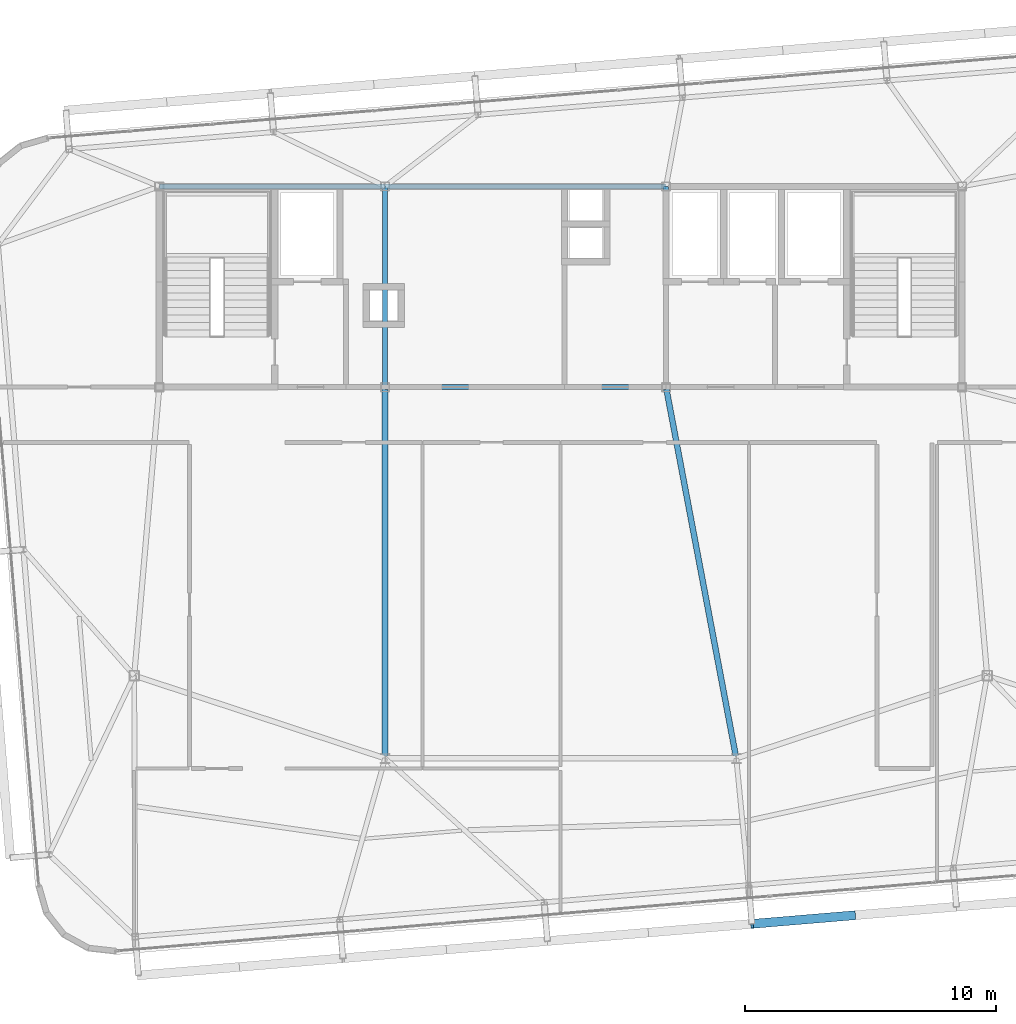
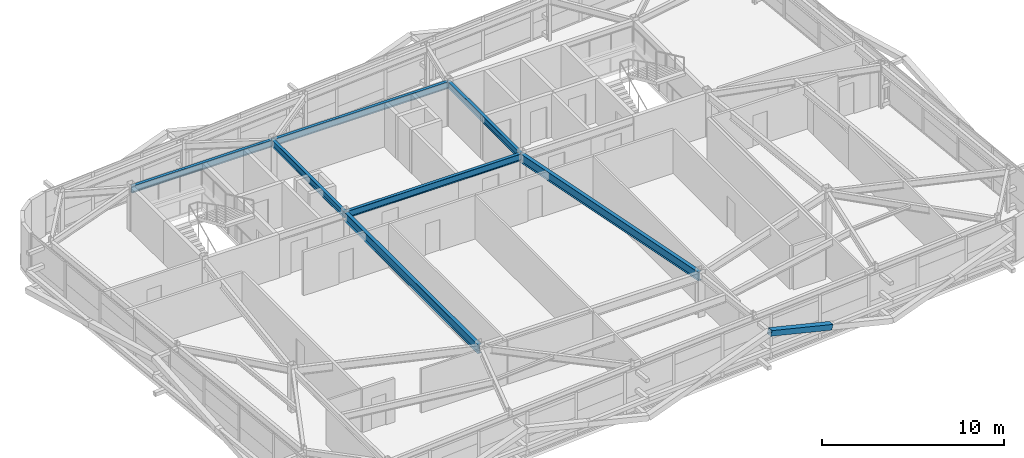
# One storey, part 18 of 46: 7 beams, 1 member.
"""IFC4 building model written with IfcOpenShell, lengths in metres."""

from ifc_helpers import new_model, si_unit, direction, frame, origin, origin_2d, place, context, subcontext, project, spatial, hollow_rectangle, i_section, extrude, source, transform, mapped, material, material_profile, profile_set, type_object, element, save


model = new_model("IFC4")

# Units and contexts
model_context = context("Model", 3, precision=1e-05, world=origin(), true_north=direction((0.0, 1.0)))
body_context = subcontext(model_context, "Body", "Model", "MODEL_VIEW")
ifc_project = project(units=[si_unit("LENGTHUNIT", "METRE"), si_unit("AREAUNIT", "SQUARE_METRE"), si_unit("VOLUMEUNIT", "CUBIC_METRE"), si_unit("PLANEANGLEUNIT", "RADIAN"), si_unit("MASSUNIT", "GRAM", prefix="KILO")], contexts=[model_context])

# Site, building, storey
site_placement = place(None, origin())
site = spatial("IfcSite", under=ifc_project, at=site_placement, CompositionType="ELEMENT")
building_placement = place(site_placement, origin())
building = spatial("IfcBuilding", under=site, at=building_placement, Name="Taldren Reach Tower", CompositionType="ELEMENT")
storey_placement = place(building_placement, frame((0.0, 0.0, 185.14990234375)))
storey = spatial("IfcBuildingStorey", under=building, at=storey_placement, Name="L56", CompositionType="ELEMENT", Elevation=185.14990234375)

# Beams
ifc_material_1 = material(Name="Steel Gr 350 (350PLUS)", Category="steel")
ifc_material_profile_1 = material_profile(ifc_material_1, i_section(OverallWidth=0.19091796875, OverallDepth=0.4599609375, WebThickness=0.010009765625, FlangeThickness=0.01611328125, at=origin_2d()), Name="460UB82.1")
ifc_profile_set_1 = profile_set([ifc_material_profile_1], Name="Steel Gr 350 (350PLUS)")
beam_type_1 = type_object("IfcBeamType", Name="BM-UB460A", PredefinedType="BEAM", material=ifc_profile_set_1)
shared_shape_1 = source(origin(), body_context, "Body", "SweptSolid", [
    extrude(i_section(OverallWidth=0.19091796875, OverallDepth=0.4599609375, WebThickness=0.010009765625, FlangeThickness=0.01611328125, at=origin_2d()), origin(), (0.0, 0.0, 1.0), 9.0),
])
beam_1_placement = place(storey_placement, frame((19.0, 32.0, 2.7001953125), z_axis=(1.0, 0.0, 0.0), x_axis=(0.0, 1.0, 0.0)))
element("IfcBeam", 1, at=beam_1_placement, inside=storey, type_object=beam_type_1, Name="Core-spine girder L56-SP04", PredefinedType="BEAM", context=body_context, shape_type="MappedRepresentation", body=[
    mapped(shared_shape_1, transform((0.0, 0.0, 0.0), scale=1.0)),
])
shared_shape_2 = source(origin(), body_context, "Body", "SweptSolid", [
    extrude(i_section(OverallWidth=0.19091796875, OverallDepth=0.4599609375, WebThickness=0.010009765625, FlangeThickness=0.01611328125, at=origin_2d()), origin(), (0.0, 0.0, 1.0), 11.199951171875),
])
for number, where, z_axis, x_axis, name in (
    (2, (28.0, 24.0, 2.7001953125), (1.0, 0.0, 0.0), (0.0, 1.0, 0.0), "Core-spine girder L56-SP02"),
    (3, (28.0, 32.0, 2.7001953125), (1.0, 0.0, 0.0), (0.0, 1.0, 0.0), "Core-spine girder L56-SP05"),
):
    element("IfcBeam", number, at=place(storey_placement, frame(where, z_axis=z_axis, x_axis=x_axis)), inside=storey, type_object=beam_type_1, Name=name, PredefinedType="BEAM", context=body_context, shape_type="MappedRepresentation", body=[
        mapped(shared_shape_2, transform((0.0, 0.0, 0.0), scale=1.0)),
    ])
shared_shape_3 = source(origin(), body_context, "Body", "SweptSolid", [
    extrude(i_section(OverallWidth=0.19091796875, OverallDepth=0.4599609375, WebThickness=0.010009765625, FlangeThickness=0.01611328125, at=origin_2d()), origin(), (0.0, 0.0, 1.0), 8.0),
])
for number, where, z_axis, x_axis, name in (
    (4, (28.0, 24.0, 2.7001953125), (0.0, 1.0, 0.0), (-1.0, 0.0, 0.0), "Core-spine girder L56-SP07"),
    (5, (39.199951171875, 24.0, 2.7001953125), (0.0, 1.0, 0.0), (-1.0, 0.0, 0.0), "Core-spine girder L56-SP08"),
):
    element("IfcBeam", number, at=place(storey_placement, frame(where, z_axis=z_axis, x_axis=x_axis)), inside=storey, type_object=beam_type_1, Name=name, PredefinedType="BEAM", context=body_context, shape_type="MappedRepresentation", body=[
        mapped(shared_shape_3, transform((0.0, 0.0, 0.0), scale=1.0)),
    ])
ifc_material_profile_2 = material_profile(ifc_material_1, i_section(OverallWidth=0.22802734375, OverallDepth=0.60205078125, WebThickness=0.010498046875, FlangeThickness=0.014892578125, at=origin_2d()), Name="610UB101")
ifc_profile_set_2 = profile_set([ifc_material_profile_2], Name="Steel Gr 350 (350PLUS)")
beam_type_2 = type_object("IfcBeamType", Name="BM-UB610B", PredefinedType="BEAM", material=ifc_profile_set_2)
shared_shape_4 = source(origin(), body_context, "Body", "SweptSolid", [
    extrude(i_section(OverallWidth=0.22802734375, OverallDepth=0.60205078125, WebThickness=0.010498046875, FlangeThickness=0.014892578125, at=origin_2d()), origin(), (0.0, 0.0, 1.0), 14.800048828125),
])
beam_2_placement = place(storey_placement, frame((28.0, 24.0, 2.629150390625), z_axis=(0.0, -1.0, 0.0), x_axis=(1.0, 0.0, 0.0)))
element("IfcBeam", 6, at=beam_2_placement, inside=storey, type_object=beam_type_2, Name="Core-spine girder L56-SP14", PredefinedType="BEAM", context=body_context, shape_type="MappedRepresentation", body=[
    mapped(shared_shape_4, transform((0.0, 0.0, 0.0), scale=1.0)),
])
shared_shape_5 = source(origin(), body_context, "Body", "SweptSolid", [
    extrude(i_section(OverallWidth=0.22802734375, OverallDepth=0.60205078125, WebThickness=0.010498046875, FlangeThickness=0.014892578125, at=origin_2d()), origin(), (0.0, 0.0, 1.0), 15.0625),
])
beam_3_placement = place(storey_placement, frame((39.199951171875, 24.0, 2.629150390625), z_axis=(0.185894205668, -0.982569765614, 0.0), x_axis=(0.982569765614, 0.185894205668, 0.0)))
element("IfcBeam", 7, at=beam_3_placement, inside=storey, type_object=beam_type_2, Name="Core-spine girder L56-SP15", PredefinedType="BEAM", context=body_context, shape_type="MappedRepresentation", body=[
    mapped(shared_shape_5, transform((0.0, 0.0, 0.0), scale=1.0)),
])

# Member
ifc_material_2 = material(Name="Steel Gr 450 (C450L0)", Category="steel")
ifc_material_profile_3 = material_profile(ifc_material_2, hollow_rectangle(XDim=0.360107421875, YDim=0.360107421875, WallThickness=0.0126953125, at=origin_2d()), Name="360x360x12.7SHS")
ifc_profile_set_3 = profile_set([ifc_material_profile_3], Name="Steel Gr 450 (C450L0)")
member_type = type_object("IfcMemberType", Name="MB-EXO356", PredefinedType="BRACE", material=ifc_profile_set_3)
shared_shape_6 = source(origin(), body_context, "Body", "SweptSolid", [
    extrude(hollow_rectangle(XDim=0.360107421875, YDim=0.360107421875, WallThickness=0.0126953125, at=origin_2d()), origin(), (0.0, 0.0, 1.0), 4.2666015625),
])
member_placement = place(storey_placement, frame((46.698974609375, 2.945068359375, 1.43505859375), z_axis=(-0.955233542365, -0.080165460216, 0.28478479336), x_axis=(0.083628388178, -0.996497010879, 0.0)))
element("IfcMember", 8, at=member_placement, inside=storey, type_object=member_type, Name="Exoskeleton Diagrid Brace B4-S4 L56", PredefinedType="BRACE", context=body_context, shape_type="MappedRepresentation", body=[
    mapped(shared_shape_6, transform((0.0, 0.0, 0.0), scale=1.0)),
])

save(model, "model.ifc")
